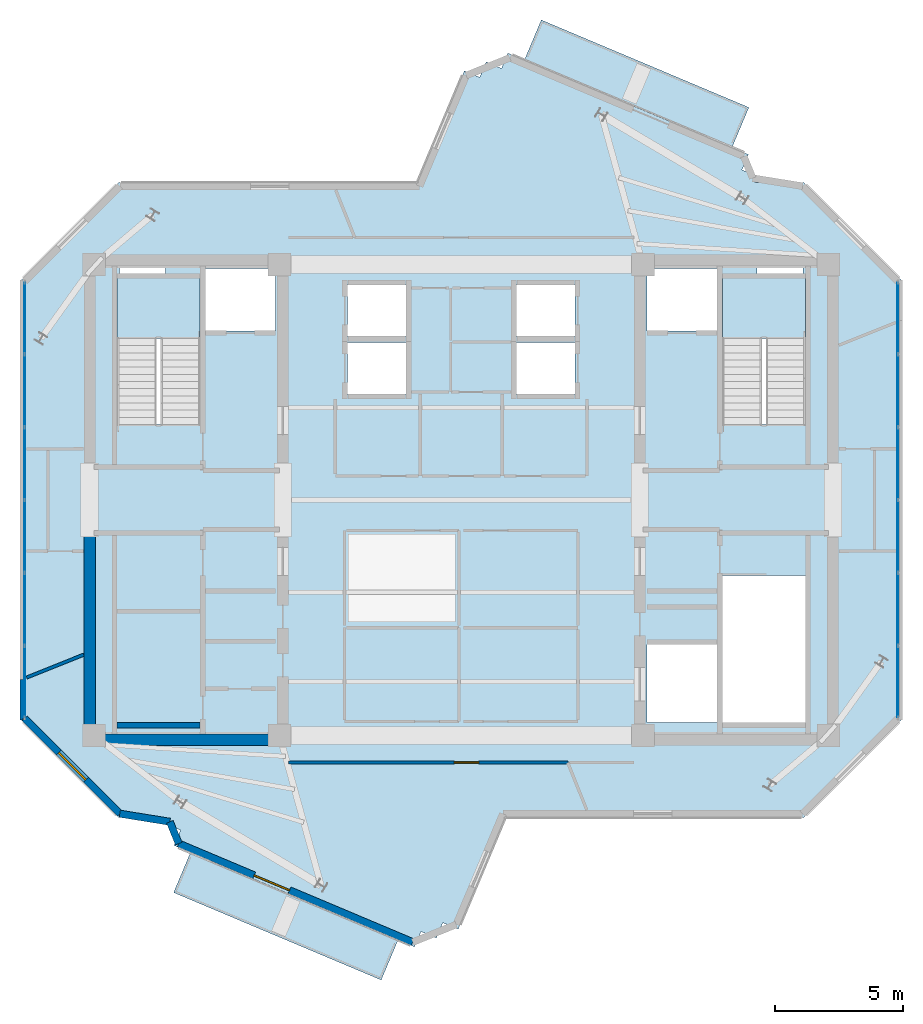
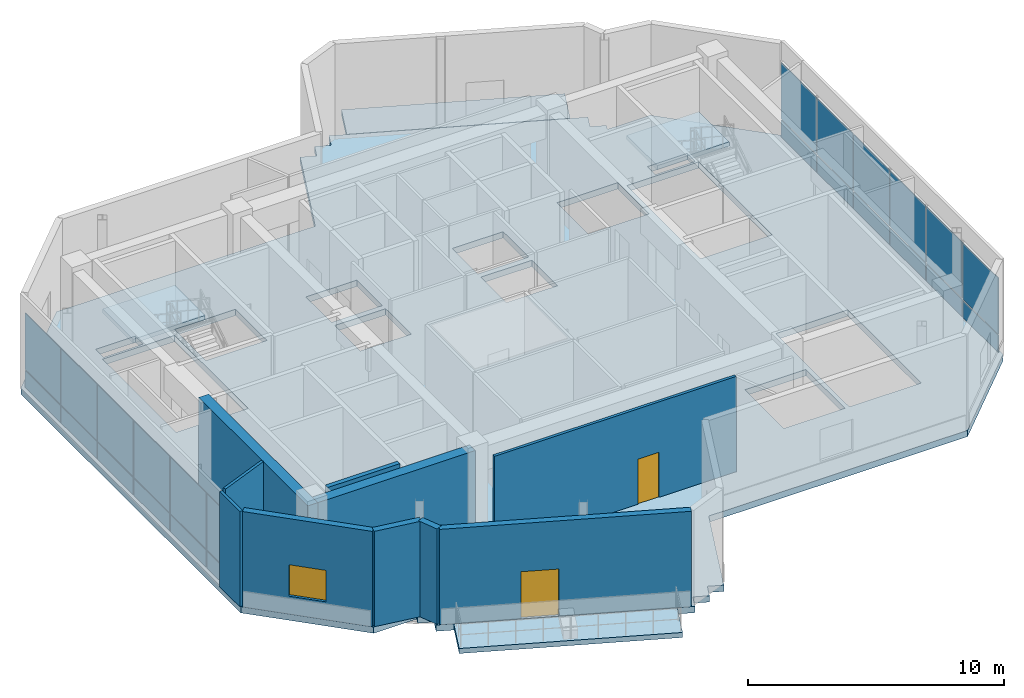
# One storey, part 5 of 11: 24 plates, 10 walls, 5 slabs, 2 doors, 1 window, 3 openings, 4 elements without a shape of their own.
"""IFC4 building model written with IfcOpenShell, lengths in metres."""

from ifc_helpers import new_model, si_unit, direction, frame, frame_2d, origin, origin_2d, place, context, subcontext, project, spatial, polyline, rectangle, outline, extrude, source, transform, mapped, material, layer, layer_set, type_object, element, fill, aggregate, save


model = new_model("IFC4")

# Units and contexts
model_context = context("Model", 3, precision=1e-05, world=origin(), true_north=direction((0.0, 1.0)))
body_context = subcontext(model_context, "Body", "Model", "MODEL_VIEW")
ifc_project = project(units=[si_unit("LENGTHUNIT", "METRE"), si_unit("AREAUNIT", "SQUARE_METRE"), si_unit("VOLUMEUNIT", "CUBIC_METRE"), si_unit("PLANEANGLEUNIT", "RADIAN"), si_unit("MASSUNIT", "GRAM", prefix="KILO")], contexts=[model_context])

# Site, building, storey
site_placement = place(None, origin())
site = spatial("IfcSite", under=ifc_project, at=site_placement, CompositionType="ELEMENT")
building_placement = place(site_placement, origin())
building = spatial("IfcBuilding", under=site, at=building_placement, Name="Zahravan Cultural Tower", CompositionType="ELEMENT")
storey_placement = place(building_placement, frame((0.0, 0.0, 365.85009765625)))
storey = spatial("IfcBuildingStorey", under=building, at=storey_placement, Name="L89", CompositionType="ELEMENT", Elevation=365.85009765625)

# Slab
ifc_material_1 = material(Name="Concrete C45/55", Category="concrete")
ifc_layer_1 = layer(ifc_material_1, 0.300048828125)
ifc_layer_set_1 = layer_set([ifc_layer_1], Name="Concrete C45/55")
slab_type_1 = type_object("IfcSlabType", Name="SL-POD-300", PredefinedType="FLOOR", material=ifc_layer_set_1)
slab_1_placement = place(storey_placement, frame((0.0, 0.0, -0.300048828125)))
element("IfcSlab", 1, at=slab_1_placement, inside=storey, type_object=slab_type_1, Name="L89 Structural Floor Slab", PredefinedType="FLOOR", context=body_context, shape_type="SweptSolid", body=[
    extrude(outline(polyline([(34.2802734375, 39.39990234375), (22.60009765625, 39.39990234375), (18.800048828125, 35.60009765625), (18.800048828125, 18.39990234375), (22.60009765625, 14.60009765625), (24.53515625, 14.60009765625), (24.429931640625, 14.35009765625), (25.02880859375, 14.097900390625), (24.7763671875, 13.498779296875), (34.176025390625, 9.5380859375), (34.428466796875, 10.136962890625), (35.02734375, 9.884521484375), (35.27978515625, 10.4833984375), (35.87890625, 10.231201171875), (37.7197265625, 14.60009765625), (49.39990234375, 14.60009765625), (53.199951171875, 18.39990234375), (53.199951171875, 35.60009765625), (49.39990234375, 39.39990234375), (47.46484375, 39.39990234375), (47.570068359375, 39.64990234375), (46.97119140625, 39.902099609375), (47.2236328125, 40.501220703125), (37.823974609375, 44.4619140625), (37.571533203125, 43.863037109375), (36.97265625, 44.115478515625), (36.72021484375, 43.5166015625), (36.12109375, 43.768798828125), (34.2802734375, 39.39990234375)]), holes=[polyline([(22.550048828125, 29.949951171875), (22.550048828125, 35.699951171875), (25.800048828125, 35.699951171875), (25.800048828125, 29.949951171875), (22.550048828125, 29.949951171875)]), polyline([(46.199951171875, 29.949951171875), (46.199951171875, 35.699951171875), (49.449951171875, 35.699951171875), (49.449951171875, 29.949951171875), (46.199951171875, 29.949951171875)]), polyline([(46.199951171875, 18.300048828125), (46.199951171875, 24.050048828125), (49.449951171875, 24.050048828125), (49.449951171875, 18.300048828125), (46.199951171875, 18.300048828125)]), polyline([(26.0, 33.60009765625), (26.0, 36.050048828125), (28.75, 36.050048828125), (28.75, 33.60009765625), (26.0, 33.60009765625)]), polyline([(43.25, 33.60009765625), (43.25, 36.050048828125), (46.0, 36.050048828125), (46.0, 33.60009765625), (43.25, 33.60009765625)]), polyline([(43.25, 18.300048828125), (43.25, 21.35009765625), (46.0, 21.35009765625), (46.0, 18.300048828125), (43.25, 18.300048828125)]), polyline([(31.550048828125, 33.39990234375), (31.550048828125, 35.39990234375), (33.85009765625, 35.39990234375), (33.85009765625, 33.39990234375), (31.550048828125, 33.39990234375)]), polyline([(31.550048828125, 31.14990234375), (31.550048828125, 33.14990234375), (33.85009765625, 33.14990234375), (33.85009765625, 31.14990234375), (31.550048828125, 31.14990234375)]), polyline([(38.14990234375, 33.39990234375), (38.14990234375, 35.39990234375), (40.449951171875, 35.39990234375), (40.449951171875, 33.39990234375), (38.14990234375, 33.39990234375)]), polyline([(38.14990234375, 31.14990234375), (38.14990234375, 33.14990234375), (40.449951171875, 33.14990234375), (40.449951171875, 31.14990234375), (38.14990234375, 31.14990234375)]), polyline([(22.64990234375, 35.800048828125), (22.64990234375, 36.419921875), (24.449951171875, 36.419921875), (24.449951171875, 35.800048828125), (22.64990234375, 35.800048828125)]), polyline([(47.550048828125, 35.800048828125), (47.550048828125, 36.419921875), (49.35009765625, 36.419921875), (49.35009765625, 35.800048828125), (47.550048828125, 35.800048828125)])]), origin(), (0.0, 0.0, 1.0), 0.300048828125),
])

# Stair, slab
stair_type = type_object("IfcStairType", Name="STR-DL-1550-480", PredefinedType="HALF_TURN_STAIR", material=ifc_material_1)
stair_1_placement = place(storey_placement, origin())
stair_1 = element("IfcStair", 2, at=stair_1_placement, inside=storey, type_object=stair_type, Name="L89 West Core North Exit Stair ST-W1", PredefinedType="HALF_TURN_STAIR")
ifc_layer_2 = layer(ifc_material_1, 0.199951171875)
ifc_layer_set_2 = layer_set([ifc_layer_2], Name="Concrete C45/55")
slab_type_2 = type_object("IfcSlabType", Name="SL-STAIR-LND200", PredefinedType="LANDING", material=ifc_layer_set_2)
slab_2_placement = place(storey_placement, frame((0.0, 0.0, 2.199951171875)))
slab_2 = element("IfcSlab", 3, at=slab_2_placement, type_object=slab_type_2, Name="ST-W1 landing 1", PredefinedType="LANDING", context=body_context, shape_type="SweptSolid", body=[
    extrude(outline(polyline([(25.800048828125, 33.31005859375), (25.800048828125, 35.699951171875), (22.550048828125, 35.699951171875), (22.550048828125, 33.31005859375), (25.800048828125, 33.31005859375)])), origin(), (0.0, 0.0, 1.0), 0.199951171875),
])
aggregate(stair_1, [slab_2])

stair_2_placement = place(storey_placement, origin())
stair_2 = element("IfcStair", 4, at=stair_2_placement, inside=storey, type_object=stair_type, Name="L89 East Core North Exit Stair ST-E1", PredefinedType="HALF_TURN_STAIR")
slab_3_placement = place(storey_placement, frame((0.0, 0.0, 2.199951171875)))
slab_3 = element("IfcSlab", 5, at=slab_3_placement, type_object=slab_type_2, Name="ST-E1 landing 1", PredefinedType="LANDING", context=body_context, shape_type="SweptSolid", body=[
    extrude(outline(polyline([(49.449951171875, 33.31005859375), (49.449951171875, 35.699951171875), (46.199951171875, 35.699951171875), (46.199951171875, 33.31005859375), (49.449951171875, 33.31005859375)])), origin(), (0.0, 0.0, 1.0), 0.199951171875),
])
aggregate(stair_2, [slab_3])

# Slabs
ifc_material_2 = material(Name="Concrete C40/50", Category="concrete")
ifc_layer_3 = layer(ifc_material_2, 0.239990234375)
ifc_layer_set_3 = layer_set([ifc_layer_3], Name="Concrete C40/50")
slab_type_3 = type_object("IfcSlabType", Name="SL-TERR-240", PredefinedType="FLOOR", material=ifc_layer_set_3)
slab_4_placement = place(storey_placement, frame((0.0, 0.0, -0.239990234375)))
element("IfcSlab", 6, at=slab_4_placement, inside=storey, type_object=slab_type_3, Name="L89 Planted Sculpture Terrace NE", PredefinedType="FLOOR", context=body_context, shape_type="SweptSolid", body=[
    extrude(outline(polyline([(39.129150390625, 45.7568359375), (38.470947265625, 44.19482421875), (46.580322265625, 40.777587890625), (47.238525390625, 42.339599609375), (39.129150390625, 45.7568359375)])), origin(), (0.0, 0.0, 1.0), 0.239990234375),
])
slab_5_placement = place(storey_placement, frame((0.0, 0.0, -0.239990234375)))
element("IfcSlab", 7, at=slab_5_placement, inside=storey, type_object=slab_type_3, Name="L89 Planted Sculpture Terrace SW", PredefinedType="FLOOR", context=body_context, shape_type="SweptSolid", body=[
    extrude(outline(polyline([(32.870849609375, 8.2431640625), (33.529052734375, 9.80517578125), (25.419677734375, 13.222412109375), (24.761474609375, 11.660400390625), (32.870849609375, 8.2431640625)])), origin(), (0.0, 0.0, 1.0), 0.239990234375),
])

# Curtain wall, plates
ifc_material_3 = material(Name="Anodised bronze-aluminium mullion", Category="aluminium")
ifc_layer_4 = layer(ifc_material_3, 0.14990234375)
ifc_layer_set_4 = layer_set([ifc_layer_4], Name="Anodised bronze-aluminium mullion")
curtain_wall_type = type_object("IfcCurtainWallType", Name="CW-SYS-6", PredefinedType="USERDEFINED", material=ifc_layer_set_4)
curtain_wall_1_placement = place(storey_placement, origin())
curtain_wall_1 = element("IfcCurtainWall", 8, at=curtain_wall_1_placement, inside=storey, type_object=curtain_wall_type, Name="L89 Recessed Curtain Wall CW-6.1", ObjectType="OBSERVATORY LANTERN", PredefinedType="USERDEFINED")
ifc_material_4 = material(Name="Low-E solar-control double glazing", Category="glass")
ifc_layer_5 = layer(ifc_material_4, 0.033935546875)
ifc_layer_set_5 = layer_set([ifc_layer_5], Name="Low-E solar-control double glazing")
plate_type = type_object("IfcPlateType", Name="CWP-CW-6", PredefinedType="CURTAIN_PANEL", material=ifc_layer_set_5)
shared_shape_1 = source(origin(), body_context, "Body", "SweptSolid", [
    extrude(rectangle(XDim=2.75732421875, YDim=0.033935546875, at=origin_2d()), origin(), (0.0, 0.0, 1.0), 0.81005859375),
])
plate_1_placement = place(storey_placement, frame((53.06005859375, 34.103271484375, 0.059814453125), z_axis=(0.0, 0.0, 1.0), x_axis=(0.0, -1.0, 0.0)))
plate_1 = element("IfcPlate", 9, at=plate_1_placement, type_object=plate_type, Name="CW-6 panel 1.1", PredefinedType="CURTAIN_PANEL", context=body_context, shape_type="MappedRepresentation", body=[
    mapped(shared_shape_1, transform((0.0, 0.0, 0.0), x_axis=(1.0, 0.0, 0.0), y_axis=(0.0, 1.0, 0.0), z_axis=(0.0, 0.0, 1.0), scale=1.0)),
])
plate_2_placement = place(storey_placement, frame((53.06005859375, 19.896728515625, 0.059814453125), z_axis=(0.0, 0.0, 1.0), x_axis=(0.0, -1.0, 0.0)))
plate_2 = element("IfcPlate", 10, at=plate_2_placement, type_object=plate_type, Name="CW-6 panel 6.1", PredefinedType="CURTAIN_PANEL", context=body_context, shape_type="MappedRepresentation", body=[
    mapped(shared_shape_1, transform((0.0, 0.0, 0.0), x_axis=(1.0, 0.0, 0.0), y_axis=(0.0, 1.0, 0.0), z_axis=(0.0, 0.0, 1.0), scale=1.0)),
])

curtain_wall_2_placement = place(storey_placement, origin())
curtain_wall_2 = element("IfcCurtainWall", 11, at=curtain_wall_2_placement, inside=storey, type_object=curtain_wall_type, Name="L89 Recessed Curtain Wall CW-6.2", ObjectType="OBSERVATORY LANTERN", PredefinedType="USERDEFINED")
plate_3_placement = place(storey_placement, frame((18.93994140625, 19.896728515625, 0.059814453125), z_axis=(0.0, 0.0, 1.0), x_axis=(0.0, 1.0, 0.0)))
plate_3 = element("IfcPlate", 12, at=plate_3_placement, type_object=plate_type, Name="CW-6 panel 1.1", PredefinedType="CURTAIN_PANEL", context=body_context, shape_type="MappedRepresentation", body=[
    mapped(shared_shape_1, transform((0.0, 0.0, 0.0), x_axis=(1.0, 0.0, 0.0), y_axis=(0.0, 1.0, 0.0), z_axis=(0.0, 0.0, 1.0), scale=1.0)),
])
plate_4_placement = place(storey_placement, frame((18.93994140625, 34.103271484375, 0.059814453125), z_axis=(0.0, 0.0, 1.0), x_axis=(0.0, 1.0, 0.0)))
plate_4 = element("IfcPlate", 13, at=plate_4_placement, type_object=plate_type, Name="CW-6 panel 6.1", PredefinedType="CURTAIN_PANEL", context=body_context, shape_type="MappedRepresentation", body=[
    mapped(shared_shape_1, transform((0.0, 0.0, 0.0), x_axis=(1.0, 0.0, 0.0), y_axis=(0.0, 1.0, 0.0), z_axis=(0.0, 0.0, 1.0), scale=1.0)),
])

# Plate
shared_shape_2 = source(origin(), body_context, "Body", "SweptSolid", [
    extrude(rectangle(XDim=2.75732421875, YDim=0.033935546875, at=origin_2d()), origin(), (0.0, 0.0, 1.0), 2.679931640625),
])
plate_5_placement = place(storey_placement, frame((53.06005859375, 34.103271484375, 0.93017578125), z_axis=(0.0, 0.0, 1.0), x_axis=(0.0, -1.0, 0.0)))
plate_5 = element("IfcPlate", 14, at=plate_5_placement, type_object=plate_type, Name="CW-6 panel 1.2", PredefinedType="CURTAIN_PANEL", context=body_context, shape_type="MappedRepresentation", body=[
    mapped(shared_shape_2, transform((0.0, 0.0, 0.0), x_axis=(1.0, 0.0, 0.0), y_axis=(0.0, 1.0, 0.0), z_axis=(0.0, 0.0, 1.0), scale=1.0)),
])

plate_6_placement = place(storey_placement, frame((53.06005859375, 19.896728515625, 0.93017578125), z_axis=(0.0, 0.0, 1.0), x_axis=(0.0, -1.0, 0.0)))
plate_6 = element("IfcPlate", 15, at=plate_6_placement, type_object=plate_type, Name="CW-6 panel 6.2", PredefinedType="CURTAIN_PANEL", context=body_context, shape_type="MappedRepresentation", body=[
    mapped(shared_shape_2, transform((0.0, 0.0, 0.0), x_axis=(1.0, 0.0, 0.0), y_axis=(0.0, 1.0, 0.0), z_axis=(0.0, 0.0, 1.0), scale=1.0)),
])

plate_7_placement = place(storey_placement, frame((18.93994140625, 19.896728515625, 0.93017578125), z_axis=(0.0, 0.0, 1.0), x_axis=(0.0, 1.0, 0.0)))
plate_7 = element("IfcPlate", 16, at=plate_7_placement, type_object=plate_type, Name="CW-6 panel 1.2", PredefinedType="CURTAIN_PANEL", context=body_context, shape_type="MappedRepresentation", body=[
    mapped(shared_shape_2, transform((0.0, 0.0, 0.0), x_axis=(1.0, 0.0, 0.0), y_axis=(0.0, 1.0, 0.0), z_axis=(0.0, 0.0, 1.0), scale=1.0)),
])

plate_8_placement = place(storey_placement, frame((18.93994140625, 34.103271484375, 0.93017578125), z_axis=(0.0, 0.0, 1.0), x_axis=(0.0, 1.0, 0.0)))
plate_8 = element("IfcPlate", 17, at=plate_8_placement, type_object=plate_type, Name="CW-6 panel 6.2", PredefinedType="CURTAIN_PANEL", context=body_context, shape_type="MappedRepresentation", body=[
    mapped(shared_shape_2, transform((0.0, 0.0, 0.0), x_axis=(1.0, 0.0, 0.0), y_axis=(0.0, 1.0, 0.0), z_axis=(0.0, 0.0, 1.0), scale=1.0)),
])

shared_shape_3 = source(origin(), body_context, "Body", "SweptSolid", [
    extrude(rectangle(XDim=2.787353515625, YDim=0.033935546875, at=origin_2d()), origin(), (0.0, 0.0, 1.0), 0.81005859375),
])
plate_9_placement = place(storey_placement, frame((53.06005859375, 31.27099609375, 0.059814453125), z_axis=(0.0, 0.0, 1.0), x_axis=(0.0, -1.0, 0.0)))
plate_9 = element("IfcPlate", 18, at=plate_9_placement, type_object=plate_type, Name="CW-6 panel 2.1", PredefinedType="CURTAIN_PANEL", context=body_context, shape_type="MappedRepresentation", body=[
    mapped(shared_shape_3, transform((0.0, 0.0, 0.0), x_axis=(1.0, 0.0, 0.0), y_axis=(0.0, 1.0, 0.0), z_axis=(0.0, 0.0, 1.0), scale=1.0)),
])

plate_10_placement = place(storey_placement, frame((53.06005859375, 28.423583984375, 0.059814453125), z_axis=(0.0, 0.0, 1.0), x_axis=(0.0, -1.0, 0.0)))
plate_10 = element("IfcPlate", 19, at=plate_10_placement, type_object=plate_type, Name="CW-6 panel 3.1", PredefinedType="CURTAIN_PANEL", context=body_context, shape_type="MappedRepresentation", body=[
    mapped(shared_shape_3, transform((0.0, 0.0, 0.0), x_axis=(1.0, 0.0, 0.0), y_axis=(0.0, 1.0, 0.0), z_axis=(0.0, 0.0, 1.0), scale=1.0)),
])

plate_11_placement = place(storey_placement, frame((53.06005859375, 25.576416015625, 0.059814453125), z_axis=(0.0, 0.0, 1.0), x_axis=(0.0, -1.0, 0.0)))
plate_11 = element("IfcPlate", 20, at=plate_11_placement, type_object=plate_type, Name="CW-6 panel 4.1", PredefinedType="CURTAIN_PANEL", context=body_context, shape_type="MappedRepresentation", body=[
    mapped(shared_shape_3, transform((0.0, 0.0, 0.0), x_axis=(1.0, 0.0, 0.0), y_axis=(0.0, 1.0, 0.0), z_axis=(0.0, 0.0, 1.0), scale=1.0)),
])

plate_12_placement = place(storey_placement, frame((53.06005859375, 22.72900390625, 0.059814453125), z_axis=(0.0, 0.0, 1.0), x_axis=(0.0, -1.0, 0.0)))
plate_12 = element("IfcPlate", 21, at=plate_12_placement, type_object=plate_type, Name="CW-6 panel 5.1", PredefinedType="CURTAIN_PANEL", context=body_context, shape_type="MappedRepresentation", body=[
    mapped(shared_shape_3, transform((0.0, 0.0, 0.0), x_axis=(1.0, 0.0, 0.0), y_axis=(0.0, 1.0, 0.0), z_axis=(0.0, 0.0, 1.0), scale=1.0)),
])

plate_13_placement = place(storey_placement, frame((18.93994140625, 22.72900390625, 0.059814453125), z_axis=(0.0, 0.0, 1.0), x_axis=(0.0, 1.0, 0.0)))
plate_13 = element("IfcPlate", 22, at=plate_13_placement, type_object=plate_type, Name="CW-6 panel 2.1", PredefinedType="CURTAIN_PANEL", context=body_context, shape_type="MappedRepresentation", body=[
    mapped(shared_shape_3, transform((0.0, 0.0, 0.0), x_axis=(1.0, 0.0, 0.0), y_axis=(0.0, 1.0, 0.0), z_axis=(0.0, 0.0, 1.0), scale=1.0)),
])

plate_14_placement = place(storey_placement, frame((18.93994140625, 25.576416015625, 0.059814453125), z_axis=(0.0, 0.0, 1.0), x_axis=(0.0, 1.0, 0.0)))
plate_14 = element("IfcPlate", 23, at=plate_14_placement, type_object=plate_type, Name="CW-6 panel 3.1", PredefinedType="CURTAIN_PANEL", context=body_context, shape_type="MappedRepresentation", body=[
    mapped(shared_shape_3, transform((0.0, 0.0, 0.0), x_axis=(1.0, 0.0, 0.0), y_axis=(0.0, 1.0, 0.0), z_axis=(0.0, 0.0, 1.0), scale=1.0)),
])

plate_15_placement = place(storey_placement, frame((18.93994140625, 28.423583984375, 0.059814453125), z_axis=(0.0, 0.0, 1.0), x_axis=(0.0, 1.0, 0.0)))
plate_15 = element("IfcPlate", 24, at=plate_15_placement, type_object=plate_type, Name="CW-6 panel 4.1", PredefinedType="CURTAIN_PANEL", context=body_context, shape_type="MappedRepresentation", body=[
    mapped(shared_shape_3, transform((0.0, 0.0, 0.0), x_axis=(1.0, 0.0, 0.0), y_axis=(0.0, 1.0, 0.0), z_axis=(0.0, 0.0, 1.0), scale=1.0)),
])

plate_16_placement = place(storey_placement, frame((18.93994140625, 31.27099609375, 0.059814453125), z_axis=(0.0, 0.0, 1.0), x_axis=(0.0, 1.0, 0.0)))
plate_16 = element("IfcPlate", 25, at=plate_16_placement, type_object=plate_type, Name="CW-6 panel 5.1", PredefinedType="CURTAIN_PANEL", context=body_context, shape_type="MappedRepresentation", body=[
    mapped(shared_shape_3, transform((0.0, 0.0, 0.0), x_axis=(1.0, 0.0, 0.0), y_axis=(0.0, 1.0, 0.0), z_axis=(0.0, 0.0, 1.0), scale=1.0)),
])

shared_shape_4 = source(origin(), body_context, "Body", "SweptSolid", [
    extrude(rectangle(XDim=2.787353515625, YDim=0.033935546875, at=origin_2d()), origin(), (0.0, 0.0, 1.0), 2.679931640625),
])
plate_17_placement = place(storey_placement, frame((53.06005859375, 31.27099609375, 0.93017578125), z_axis=(0.0, 0.0, 1.0), x_axis=(0.0, -1.0, 0.0)))
plate_17 = element("IfcPlate", 26, at=plate_17_placement, type_object=plate_type, Name="CW-6 panel 2.2", PredefinedType="CURTAIN_PANEL", context=body_context, shape_type="MappedRepresentation", body=[
    mapped(shared_shape_4, transform((0.0, 0.0, 0.0), x_axis=(1.0, 0.0, 0.0), y_axis=(0.0, 1.0, 0.0), z_axis=(0.0, 0.0, 1.0), scale=1.0)),
])

plate_18_placement = place(storey_placement, frame((53.06005859375, 28.423583984375, 0.93017578125), z_axis=(0.0, 0.0, 1.0), x_axis=(0.0, -1.0, 0.0)))
plate_18 = element("IfcPlate", 27, at=plate_18_placement, type_object=plate_type, Name="CW-6 panel 3.2", PredefinedType="CURTAIN_PANEL", context=body_context, shape_type="MappedRepresentation", body=[
    mapped(shared_shape_4, transform((0.0, 0.0, 0.0), x_axis=(1.0, 0.0, 0.0), y_axis=(0.0, 1.0, 0.0), z_axis=(0.0, 0.0, 1.0), scale=1.0)),
])

plate_19_placement = place(storey_placement, frame((53.06005859375, 25.576416015625, 0.93017578125), z_axis=(0.0, 0.0, 1.0), x_axis=(0.0, -1.0, 0.0)))
plate_19 = element("IfcPlate", 28, at=plate_19_placement, type_object=plate_type, Name="CW-6 panel 4.2", PredefinedType="CURTAIN_PANEL", context=body_context, shape_type="MappedRepresentation", body=[
    mapped(shared_shape_4, transform((0.0, 0.0, 0.0), x_axis=(1.0, 0.0, 0.0), y_axis=(0.0, 1.0, 0.0), z_axis=(0.0, 0.0, 1.0), scale=1.0)),
])

plate_20_placement = place(storey_placement, frame((53.06005859375, 22.72900390625, 0.93017578125), z_axis=(0.0, 0.0, 1.0), x_axis=(0.0, -1.0, 0.0)))
plate_20 = element("IfcPlate", 29, at=plate_20_placement, type_object=plate_type, Name="CW-6 panel 5.2", PredefinedType="CURTAIN_PANEL", context=body_context, shape_type="MappedRepresentation", body=[
    mapped(shared_shape_4, transform((0.0, 0.0, 0.0), x_axis=(1.0, 0.0, 0.0), y_axis=(0.0, 1.0, 0.0), z_axis=(0.0, 0.0, 1.0), scale=1.0)),
])

aggregate(curtain_wall_1, [plate_1, plate_5, plate_9, plate_17, plate_10, plate_18, plate_11, plate_19, plate_12, plate_20, plate_2, plate_6])

plate_21_placement = place(storey_placement, frame((18.93994140625, 22.72900390625, 0.93017578125), z_axis=(0.0, 0.0, 1.0), x_axis=(0.0, 1.0, 0.0)))
plate_21 = element("IfcPlate", 30, at=plate_21_placement, type_object=plate_type, Name="CW-6 panel 2.2", PredefinedType="CURTAIN_PANEL", context=body_context, shape_type="MappedRepresentation", body=[
    mapped(shared_shape_4, transform((0.0, 0.0, 0.0), x_axis=(1.0, 0.0, 0.0), y_axis=(0.0, 1.0, 0.0), z_axis=(0.0, 0.0, 1.0), scale=1.0)),
])

plate_22_placement = place(storey_placement, frame((18.93994140625, 25.576416015625, 0.93017578125), z_axis=(0.0, 0.0, 1.0), x_axis=(0.0, 1.0, 0.0)))
plate_22 = element("IfcPlate", 31, at=plate_22_placement, type_object=plate_type, Name="CW-6 panel 3.2", PredefinedType="CURTAIN_PANEL", context=body_context, shape_type="MappedRepresentation", body=[
    mapped(shared_shape_4, transform((0.0, 0.0, 0.0), x_axis=(1.0, 0.0, 0.0), y_axis=(0.0, 1.0, 0.0), z_axis=(0.0, 0.0, 1.0), scale=1.0)),
])

plate_23_placement = place(storey_placement, frame((18.93994140625, 28.423583984375, 0.93017578125), z_axis=(0.0, 0.0, 1.0), x_axis=(0.0, 1.0, 0.0)))
plate_23 = element("IfcPlate", 32, at=plate_23_placement, type_object=plate_type, Name="CW-6 panel 4.2", PredefinedType="CURTAIN_PANEL", context=body_context, shape_type="MappedRepresentation", body=[
    mapped(shared_shape_4, transform((0.0, 0.0, 0.0), x_axis=(1.0, 0.0, 0.0), y_axis=(0.0, 1.0, 0.0), z_axis=(0.0, 0.0, 1.0), scale=1.0)),
])

plate_24_placement = place(storey_placement, frame((18.93994140625, 31.27099609375, 0.93017578125), z_axis=(0.0, 0.0, 1.0), x_axis=(0.0, 1.0, 0.0)))
plate_24 = element("IfcPlate", 33, at=plate_24_placement, type_object=plate_type, Name="CW-6 panel 5.2", PredefinedType="CURTAIN_PANEL", context=body_context, shape_type="MappedRepresentation", body=[
    mapped(shared_shape_4, transform((0.0, 0.0, 0.0), x_axis=(1.0, 0.0, 0.0), y_axis=(0.0, 1.0, 0.0), z_axis=(0.0, 0.0, 1.0), scale=1.0)),
])

aggregate(curtain_wall_2, [plate_3, plate_7, plate_13, plate_21, plate_14, plate_22, plate_15, plate_23, plate_16, plate_24, plate_4, plate_8])

# Wall, opening, door
ifc_material_5 = material(Name="Precast concrete C40/50", Category="concrete")
ifc_layer_6 = layer(ifc_material_5, 0.280029296875)
ifc_layer_set_6 = layer_set([ifc_layer_6], Name="Precast concrete C40/50")
wall_type_1 = type_object("IfcWallType", Name="EW-TC-280", PredefinedType="SOLIDWALL", material=ifc_layer_set_6)
wall_1_placement = place(storey_placement, frame((34.101318359375, 9.721435546875, 0.0), z_axis=(0.0, 0.0, 1.0), x_axis=(-0.921528789879, 0.38831004291, 0.0)))
wall_1 = element("IfcWall", 34, at=wall_1_placement, inside=storey, type_object=wall_type_1, Name="L89 Exterior Masonry Frame Wall 11", PredefinedType="SOLIDWALL", context=body_context, shape_type="SweptSolid", body=[
    extrude(rectangle(XDim=9.919921875, YDim=0.280029296875, at=frame_2d((4.9599609375, 0.0))), origin(), (0.0, 0.0, 1.0), 4.5498046875),
])
opening_1_placement = place(wall_1_placement, frame((5.219970703125, 0.0, 0.0)))
opening_1 = element("IfcOpeningElement", 35, at=opening_1_placement, cuts=wall_1, Name="Opening D-L89-TR-SW", PredefinedType="OPENING", context=body_context, shape_type="SweptSolid", body=[
    extrude(rectangle(XDim=1.5, YDim=2.25, at=frame_2d((0.75, 1.125))), frame((0.0, 0.14990234375, 0.0), z_axis=(0.0, -1.0, 0.0), x_axis=(1.0, 0.0, 0.0)), (0.0, 0.0, 1.0), 0.300048828125),
])
door_type_1 = type_object("IfcDoorType", Name="DR-OBS-1500", OperationType="DOUBLE_DOOR_SINGLE_SWING", PredefinedType="DOOR", material=ifc_material_3)
shared_shape_5 = source(origin(), body_context, "Body", "SweptSolid", [
    extrude(rectangle(XDim=1.5, YDim=2.25, at=frame_2d((0.75, 1.125))), frame((0.0, 0.02490234375, 0.0), z_axis=(0.0, -1.0, 0.0), x_axis=(1.0, 0.0, 0.0)), (0.0, 0.0, 1.0), 0.050048828125),
])
door_1_placement = place(opening_1_placement, origin())
door_1 = element("IfcDoor", 36, at=door_1_placement, inside=storey, type_object=door_type_1, Name="L89 Terrace Access Door SW", OperationType="DOUBLE_DOOR_SINGLE_SWING", OverallHeight=2.25, OverallWidth=1.5, PredefinedType="DOOR", context=body_context, shape_type="MappedRepresentation", body=[
    mapped(shared_shape_5, transform((0.0, 0.0, 0.0), x_axis=(1.0, 0.0, 0.0), y_axis=(0.0, 1.0, 0.0), z_axis=(0.0, 0.0, 1.0), scale=1.0)),
])
fill(opening_1, door_1)

# Wall, opening, window
wall_2_placement = place(storey_placement, frame((22.657958984375, 14.739990234375, 0.0), z_axis=(0.0, 0.0, 1.0), x_axis=(-0.707106781187, 0.707106781187, 0.0)))
wall_2 = element("IfcWall", 37, at=wall_2_placement, inside=storey, type_object=wall_type_1, Name="L89 Exterior Masonry Frame Wall 14", PredefinedType="SOLIDWALL", context=body_context, shape_type="SweptSolid", body=[
    extrude(rectangle(XDim=5.258056640625, YDim=0.280029296875, at=frame_2d((2.62890625, 0.0))), origin(), (0.0, 0.0, 1.0), 4.5498046875),
])
opening_2_placement = place(wall_2_placement, frame((1.87890625, 0.0, 0.85009765625)))
opening_2 = element("IfcOpeningElement", 38, at=opening_2_placement, cuts=wall_2, Name="Opening WN-03", PredefinedType="OPENING", context=body_context, shape_type="SweptSolid", body=[
    extrude(rectangle(XDim=1.5, YDim=1.5, at=frame_2d((0.75, 0.75))), frame((0.0, 0.14990234375, 0.0), z_axis=(0.0, -1.0, 0.0), x_axis=(1.0, 0.0, 0.0)), (0.0, 0.0, 1.0), 0.300048828125),
])
window_type = type_object("IfcWindowType", Name="WN-REC-1500X1500", PartitioningType="SINGLE_PANEL", PredefinedType="WINDOW", material=ifc_material_4)
shared_shape_6 = source(origin(), body_context, "Body", "SweptSolid", [
    extrude(rectangle(XDim=1.5, YDim=1.5, at=frame_2d((0.75, 0.75))), frame((0.0, 0.030029296875, 0.0), z_axis=(0.0, -1.0, 0.0), x_axis=(1.0, 0.0, 0.0)), (0.0, 0.0, 1.0), 0.06005859375),
])
window_placement = place(opening_2_placement, origin())
window = element("IfcWindow", 39, at=window_placement, inside=storey, type_object=window_type, Name="L89 Recessed Solar Window 06", OverallHeight=1.5, OverallWidth=1.5, PartitioningType="SINGLE_PANEL", PredefinedType="WINDOW", context=body_context, shape_type="MappedRepresentation", body=[
    mapped(shared_shape_6, transform((0.0, 0.0, 0.0), x_axis=(1.0, 0.0, 0.0), y_axis=(0.0, 1.0, 0.0), z_axis=(0.0, 0.0, 1.0), scale=1.0)),
])
fill(opening_2, window)

# Wall, opening, door
ifc_material_6 = material(Name="Gypsum plasterboard partition")
ifc_layer_7 = layer(ifc_material_6, 0.125)
ifc_layer_set_7 = layer_set([ifc_layer_7], Name="Gypsum plasterboard partition")
wall_type_2 = type_object("IfcWallType", Name="W-PART-125", PredefinedType="PARTITIONING", material=ifc_layer_set_7)
wall_3_placement = place(storey_placement, frame((29.257568359375, 16.740234375, 0.0), z_axis=(0.0, 0.0, 1.0), x_axis=(0.999999999749, -2.2389396e-05, 0.0)))
wall_3 = element("IfcWall", 40, at=wall_3_placement, inside=storey, type_object=wall_type_2, Name="L89 Interior Wall 086", PredefinedType="PARTITIONING", context=body_context, shape_type="SweptSolid", body=[
    extrude(rectangle(XDim=10.904296875, YDim=0.125, at=frame_2d((5.4521484375, 0.0))), origin(), (0.0, 0.0, 1.0), 4.5498046875),
])
opening_3_placement = place(wall_3_placement, frame((6.47021484375, 0.0, 0.0)))
opening_3 = element("IfcOpeningElement", 41, at=opening_3_placement, cuts=wall_3, Name="Opening D-L89-24", PredefinedType="OPENING", context=body_context, shape_type="SweptSolid", body=[
    extrude(rectangle(XDim=0.949951171875, YDim=2.14990234375, at=frame_2d((0.47509765625, 1.074951171875))), frame((0.0, 0.072509765625, 0.0), z_axis=(0.0, -1.0, 0.0), x_axis=(1.0, 0.0, 0.0)), (0.0, 0.0, 1.0), 0.14501953125),
])
door_type_2 = type_object("IfcDoorType", Name="DR-ROOM-950", OperationType="NOTDEFINED", PredefinedType="DOOR", material=ifc_material_3)
shared_shape_7 = source(origin(), body_context, "Body", "SweptSolid", [
    extrude(rectangle(XDim=0.949951171875, YDim=2.14990234375, at=frame_2d((0.47509765625, 1.074951171875))), frame((0.0, 0.02490234375, 0.0), z_axis=(0.0, -1.0, 0.0), x_axis=(1.0, 0.0, 0.0)), (0.0, 0.0, 1.0), 0.050048828125),
])
door_2_placement = place(opening_3_placement, origin())
door_2 = element("IfcDoor", 42, at=door_2_placement, inside=storey, type_object=door_type_2, Name="L89 Door D-L89-24", OperationType="SINGLE_SWING_LEFT", OverallHeight=2.14990234375, OverallWidth=0.949951171875, PredefinedType="DOOR", context=body_context, shape_type="MappedRepresentation", body=[
    mapped(shared_shape_7, transform((0.0, 0.0, 0.0), x_axis=(1.0, 0.0, 0.0), y_axis=(0.0, 1.0, 0.0), z_axis=(0.0, 0.0, 1.0), scale=1.0)),
])
fill(opening_3, door_2)

# Walls
ifc_material_7 = material(Name="Concrete C50/60", Category="concrete")
ifc_layer_8 = layer(ifc_material_7, 0.449951171875)
ifc_layer_set_8 = layer_set([ifc_layer_8], Name="Concrete C50/60")
wall_type_3 = type_object("IfcWallType", Name="CW-SHEAR-450-C50", PredefinedType="SHEAR", material=ifc_layer_set_8)
shared_shape_8 = source(origin(), body_context, "Body", "SweptSolid", [
    extrude(rectangle(XDim=8.550048828125, YDim=0.449951171875, at=frame_2d((4.27490234375, 0.0))), origin(), (0.0, 0.0, 1.0), 4.5498046875),
])
wall_4_placement = place(storey_placement, frame((21.47509765625, 17.39990234375, 0.0), z_axis=(0.0, 0.0, 1.0), x_axis=(0.0, 1.0, 0.0)))
element("IfcWall", 43, at=wall_4_placement, inside=storey, type_object=wall_type_3, Name="L89 Core Shear Wall CW-W-WS-L89", PredefinedType="SHEAR", context=body_context, shape_type="MappedRepresentation", body=[
    mapped(shared_shape_8, transform((0.0, 0.0, 0.0), x_axis=(1.0, 0.0, 0.0), y_axis=(0.0, 1.0, 0.0), z_axis=(0.0, 0.0, 1.0), scale=1.0)),
])
shared_shape_9 = source(origin(), body_context, "Body", "SweptSolid", [
    extrude(rectangle(XDim=7.10009765625, YDim=0.449951171875, at=frame_2d((3.550048828125, 0.0))), origin(), (0.0, 0.0, 1.0), 4.5498046875),
])
wall_5_placement = place(storey_placement, frame((21.699951171875, 17.625, 0.0), z_axis=(0.0, 0.0, 1.0), x_axis=(1.0, 0.0, 0.0)))
element("IfcWall", 44, at=wall_5_placement, inside=storey, type_object=wall_type_3, Name="L89 Core Shear Wall CW-W-S-L89", PredefinedType="SHEAR", context=body_context, shape_type="MappedRepresentation", body=[
    mapped(shared_shape_9, transform((0.0, 0.0, 0.0), x_axis=(1.0, 0.0, 0.0), y_axis=(0.0, 1.0, 0.0), z_axis=(0.0, 0.0, 1.0), scale=1.0)),
])
shared_shape_10 = source(origin(), body_context, "Body", "SweptSolid", [
    extrude(rectangle(XDim=0.919189453125, YDim=0.280029296875, at=frame_2d((0.45947265625, 0.0))), origin(), (0.0, 0.0, 1.0), 4.5498046875),
])
wall_6_placement = place(storey_placement, frame((24.959716796875, 13.573486328125, 0.0), z_axis=(0.0, 0.0, 1.0), x_axis=(-0.376925603324, 0.926243536851, 0.0)))
element("IfcWall", 45, at=wall_6_placement, inside=storey, type_object=wall_type_1, Name="L89 Exterior Masonry Frame Wall 12", PredefinedType="SOLIDWALL", context=body_context, shape_type="MappedRepresentation", body=[
    mapped(shared_shape_10, transform((0.0, 0.0, 0.0), x_axis=(1.0, 0.0, 0.0), y_axis=(0.0, 1.0, 0.0), z_axis=(0.0, 0.0, 1.0), scale=1.0)),
])
shared_shape_11 = source(origin(), body_context, "Body", "SweptSolid", [
    extrude(rectangle(XDim=1.98046875, YDim=0.280029296875, at=frame_2d((0.990234375, 0.0))), origin(), (0.0, 0.0, 1.0), 4.5498046875),
])
wall_7_placement = place(storey_placement, frame((24.61328125, 14.4248046875, 0.0), z_axis=(0.0, 0.0, 1.0), x_axis=(-0.987256118563, 0.159139424281, 0.0)))
element("IfcWall", 46, at=wall_7_placement, inside=storey, type_object=wall_type_1, Name="L89 Exterior Masonry Frame Wall 13", PredefinedType="SOLIDWALL", context=body_context, shape_type="MappedRepresentation", body=[
    mapped(shared_shape_11, transform((0.0, 0.0, 0.0), x_axis=(1.0, 0.0, 0.0), y_axis=(0.0, 1.0, 0.0), z_axis=(0.0, 0.0, 1.0), scale=1.0)),
])
ifc_layer_9 = layer(ifc_material_1, 0.199951171875)
ifc_layer_set_9 = layer_set([ifc_layer_9], Name="Concrete C45/55")
wall_type_4 = type_object("IfcWallType", Name="W-SHAFT-200", PredefinedType="SOLIDWALL", material=ifc_layer_set_9)
shared_shape_12 = source(origin(), body_context, "Body", "SweptSolid", [
    extrude(rectangle(XDim=3.25, YDim=0.199951171875, at=frame_2d((1.625, 0.0))), origin(), (0.0, 0.0, 1.0), 4.5498046875),
])
wall_8_placement = place(storey_placement, frame((22.550048828125, 18.199951171875, 0.0), z_axis=(0.0, 0.0, 1.0), x_axis=(1.0, 0.0, 0.0)))
element("IfcWall", 47, at=wall_8_placement, inside=storey, type_object=wall_type_4, Name="L89 Interior Wall 019", PredefinedType="SOLIDWALL", context=body_context, shape_type="MappedRepresentation", body=[
    mapped(shared_shape_12, transform((0.0, 0.0, 0.0), x_axis=(1.0, 0.0, 0.0), y_axis=(0.0, 1.0, 0.0), z_axis=(0.0, 0.0, 1.0), scale=1.0)),
])
shared_shape_13 = source(origin(), body_context, "Body", "SweptSolid", [
    extrude(rectangle(XDim=2.396728515625, YDim=0.125, at=frame_2d((1.1982421875, 0.0))), origin(), (0.0, 0.0, 1.0), 4.5498046875),
])
wall_9_placement = place(storey_placement, frame((21.2451171875, 20.95458984375, 0.0), z_axis=(0.0, 0.0, 1.0), x_axis=(-0.928357220149, -0.371689213992, 0.0)))
element("IfcWall", 48, at=wall_9_placement, inside=storey, type_object=wall_type_2, Name="L89 Interior Wall 071", PredefinedType="PARTITIONING", context=body_context, shape_type="MappedRepresentation", body=[
    mapped(shared_shape_13, transform((0.0, 0.0, 0.0), x_axis=(1.0, 0.0, 0.0), y_axis=(0.0, 1.0, 0.0), z_axis=(0.0, 0.0, 1.0), scale=1.0)),
])
shared_shape_14 = source(origin(), body_context, "Body", "SweptSolid", [
    extrude(rectangle(XDim=1.57568359375, YDim=0.125, at=frame_2d((0.787841796875, 0.0))), origin(), (0.0, 0.0, 1.0), 4.5498046875),
])
wall_10_placement = place(storey_placement, frame((18.820068359375, 18.408203125, 0.0), z_axis=(0.0, 0.0, 1.0), x_axis=(0.0, 1.0, 0.0)))
element("IfcWall", 49, at=wall_10_placement, inside=storey, type_object=wall_type_2, Name="L89 Interior Wall 087", PredefinedType="PARTITIONING", context=body_context, shape_type="MappedRepresentation", body=[
    mapped(shared_shape_14, transform((0.0, 0.0, 0.0), x_axis=(1.0, 0.0, 0.0), y_axis=(0.0, 1.0, 0.0), z_axis=(0.0, 0.0, 1.0), scale=1.0)),
])

save(model, "model.ifc")
